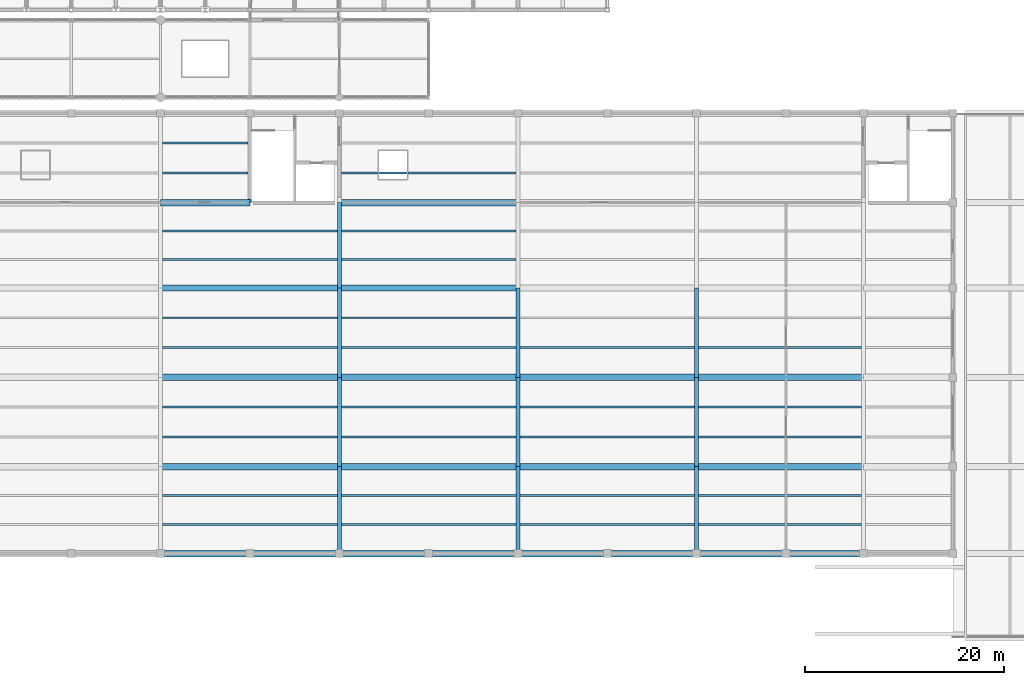
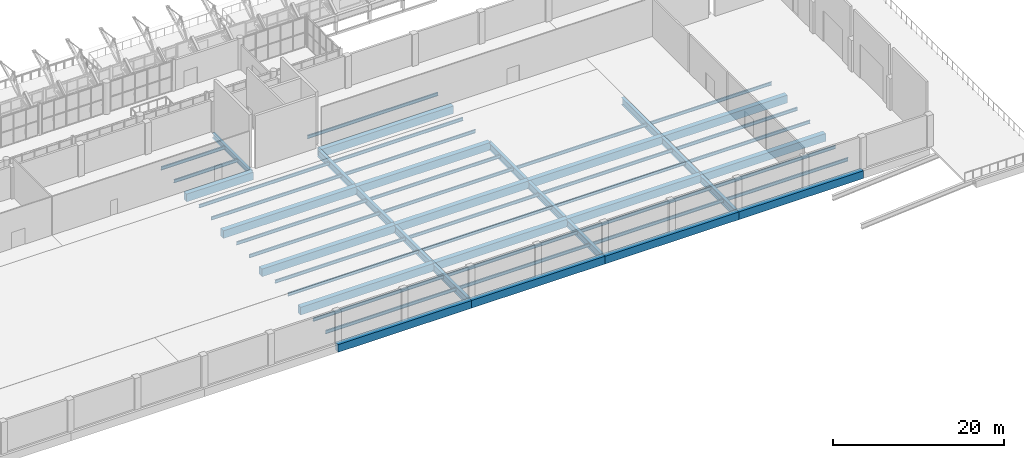
# One storey, part 73 of 134: 56 beams.
"""IFC4 building model written with IfcOpenShell, lengths in metres."""

from ifc_helpers import new_model, si_unit, direction, frame, origin, origin_2d, place, context, subcontext, project, spatial, rectangle, i_section, extrude, material, material_profile, profile_set, type_object, element, save


model = new_model("IFC4")

# Units and contexts
model_context = context("Model", 3, precision=1e-05, world=origin(), true_north=direction((0.0, 1.0)))
body_context = subcontext(model_context, "Body", "Model", "MODEL_VIEW")
ifc_project = project(units=[si_unit("LENGTHUNIT", "METRE"), si_unit("AREAUNIT", "SQUARE_METRE"), si_unit("VOLUMEUNIT", "CUBIC_METRE"), si_unit("PLANEANGLEUNIT", "RADIAN"), si_unit("MASSUNIT", "GRAM", prefix="KILO")], contexts=[model_context])

# Site, building, storey
site_placement = place(None, origin())
site = spatial("IfcSite", under=ifc_project, at=site_placement, CompositionType="ELEMENT")
building_placement = place(site_placement, origin())
building = spatial("IfcBuilding", under=site, at=building_placement, Name="Cazmaro Siding Exhibition Halls", CompositionType="ELEMENT")
storey_placement = place(building_placement, frame((0.0, 0.0, 12.0)))
storey = spatial("IfcBuildingStorey", under=building, at=storey_placement, Name="L02", CompositionType="ELEMENT", Elevation=12.0)

# Beams
ifc_material_1 = material(Name="Steel ASTM A992 Grade 50", Category="steel")
ifc_material_profile_1 = material_profile(ifc_material_1, i_section(OverallWidth=0.404052734375, OverallDepth=1.02099609375, WebThickness=0.02490234375, FlangeThickness=0.0458984375, at=origin_2d()), Name="W40X324")
ifc_profile_set_1 = profile_set([ifc_material_profile_1], Name="Steel ASTM A992 Grade 50")
beam_type_1 = type_object("IfcBeamType", Name="G-06", PredefinedType="USERDEFINED", material=ifc_profile_set_1)
beam_1_placement = place(storey_placement, frame((144.0, 9.25, -0.81103515625), z_axis=(0.0, 1.0, 0.0), x_axis=(-1.0, 0.0, 0.0)))
element("IfcBeam", 1, at=beam_1_placement, inside=storey, type_object=beam_type_1, Name="Beam G-06 BM-1456", ObjectType="GIRDER", PredefinedType="USERDEFINED", context=body_context, shape_type="SweptSolid", body=[
    extrude(i_section(OverallWidth=0.404052734375, OverallDepth=1.02099609375, WebThickness=0.02490234375, FlangeThickness=0.0458984375, at=origin_2d()), origin(), (0.0, 0.0, 1.0), 8.75),
])
for number, where, z_axis, x_axis, name in (
    (2, (144.0, 18.0, -0.81103515625), (0.0, 1.0, 0.0), (-1.0, 0.0, 0.0), "Beam G-06 BM-1457"),
    (3, (144.0, 27.0, -0.81103515625), (0.0, 1.0, 0.0), (-1.0, 0.0, 0.0), "Beam G-06 BM-1458"),
):
    element("IfcBeam", number, at=place(storey_placement, frame(where, z_axis=z_axis, x_axis=x_axis)), inside=storey, type_object=beam_type_1, Name=name, ObjectType="GIRDER", PredefinedType="USERDEFINED", context=body_context, shape_type="SweptSolid", body=[
        extrude(i_section(OverallWidth=0.404052734375, OverallDepth=1.02099609375, WebThickness=0.02490234375, FlangeThickness=0.0458984375, at=origin_2d()), origin(), (0.0, 0.0, 1.0), 9.0),
    ])
beam_2_placement = place(storey_placement, frame((144.0, 36.0, -0.81103515625), z_axis=(0.0, 1.0, 0.0), x_axis=(-1.0, 0.0, 0.0)))
element("IfcBeam", 4, at=beam_2_placement, inside=storey, type_object=beam_type_1, Name="Beam G-06 BM-1459", ObjectType="GIRDER", PredefinedType="USERDEFINED", context=body_context, shape_type="SweptSolid", body=[
    extrude(i_section(OverallWidth=0.404052734375, OverallDepth=1.02099609375, WebThickness=0.02490234375, FlangeThickness=0.0458984375, at=origin_2d()), origin(), (0.0, 0.0, 1.0), 8.60009765625),
])
beam_3_placement = place(storey_placement, frame((162.0, 9.25, -0.81103515625), z_axis=(0.0, 1.0, 0.0), x_axis=(-1.0, 0.0, 0.0)))
element("IfcBeam", 5, at=beam_3_placement, inside=storey, type_object=beam_type_1, Name="Beam G-06 BM-1461", ObjectType="GIRDER", PredefinedType="USERDEFINED", context=body_context, shape_type="SweptSolid", body=[
    extrude(i_section(OverallWidth=0.404052734375, OverallDepth=1.02099609375, WebThickness=0.02490234375, FlangeThickness=0.0458984375, at=origin_2d()), origin(), (0.0, 0.0, 1.0), 8.75),
])
for number, where, z_axis, x_axis, name in (
    (6, (162.0, 18.0, -0.81103515625), (0.0, 1.0, 0.0), (-1.0, 0.0, 0.0), "Beam G-06 BM-1462"),
    (7, (162.0, 27.0, -0.81103515625), (0.0, 1.0, 0.0), (-1.0, 0.0, 0.0), "Beam G-06 BM-1463"),
):
    element("IfcBeam", number, at=place(storey_placement, frame(where, z_axis=z_axis, x_axis=x_axis)), inside=storey, type_object=beam_type_1, Name=name, ObjectType="GIRDER", PredefinedType="USERDEFINED", context=body_context, shape_type="SweptSolid", body=[
        extrude(i_section(OverallWidth=0.404052734375, OverallDepth=1.02099609375, WebThickness=0.02490234375, FlangeThickness=0.0458984375, at=origin_2d()), origin(), (0.0, 0.0, 1.0), 9.0),
    ])
beam_4_placement = place(storey_placement, frame((180.0, 9.25, -0.81103515625), z_axis=(0.0, 1.0, 0.0), x_axis=(-1.0, 0.0, 0.0)))
element("IfcBeam", 8, at=beam_4_placement, inside=storey, type_object=beam_type_1, Name="Beam G-06 BM-1466", ObjectType="GIRDER", PredefinedType="USERDEFINED", context=body_context, shape_type="SweptSolid", body=[
    extrude(i_section(OverallWidth=0.404052734375, OverallDepth=1.02099609375, WebThickness=0.02490234375, FlangeThickness=0.0458984375, at=origin_2d()), origin(), (0.0, 0.0, 1.0), 8.75),
])
for number, where, z_axis, x_axis, name in (
    (9, (180.0, 18.0, -0.81103515625), (0.0, 1.0, 0.0), (-1.0, 0.0, 0.0), "Beam G-06 BM-1467"),
    (10, (180.0, 27.0, -0.81103515625), (0.0, 1.0, 0.0), (-1.0, 0.0, 0.0), "Beam G-06 BM-1468"),
):
    element("IfcBeam", number, at=place(storey_placement, frame(where, z_axis=z_axis, x_axis=x_axis)), inside=storey, type_object=beam_type_1, Name=name, ObjectType="GIRDER", PredefinedType="USERDEFINED", context=body_context, shape_type="SweptSolid", body=[
        extrude(i_section(OverallWidth=0.404052734375, OverallDepth=1.02099609375, WebThickness=0.02490234375, FlangeThickness=0.0458984375, at=origin_2d()), origin(), (0.0, 0.0, 1.0), 9.0),
    ])
ifc_material_2 = material(Name="Concrete f'c 45 MPa", Category="concrete")
ifc_material_profile_2 = material_profile(ifc_material_2, rectangle(XDim=0.64990234375, YDim=1.10009765625, at=origin_2d()), Name="RC1100X650")
ifc_profile_set_2 = profile_set([ifc_material_profile_2], Name="Concrete f'c 45 MPa")
beam_type_2 = type_object("IfcBeamType", Name="G-08", PredefinedType="USERDEFINED", material=ifc_profile_set_2)
for number, where, z_axis, x_axis, name in (
    (11, (126.0, 9.25, -0.85009765625), (1.0, 0.0, 0.0), (0.0, 1.0, 0.0), "Beam G-08 BM-1359"),
    (12, (126.0, 18.0, -0.85009765625), (1.0, 0.0, 0.0), (0.0, 1.0, 0.0), "Beam G-08 BM-1360"),
    (13, (126.0, 27.0, -0.85009765625), (1.0, 0.0, 0.0), (0.0, 1.0, 0.0), "Beam G-08 BM-1361"),
    (14, (126.0, 36.0, -0.85009765625), (1.0, 0.0, 0.0), (0.0, 1.0, 0.0), "Beam G-08 BM-1362"),
):
    element("IfcBeam", number, at=place(storey_placement, frame(where, z_axis=z_axis, x_axis=x_axis)), inside=storey, type_object=beam_type_2, Name=name, ObjectType="GIRDER", PredefinedType="USERDEFINED", context=body_context, shape_type="SweptSolid", body=[
        extrude(rectangle(XDim=0.64990234375, YDim=1.10009765625, at=origin_2d()), origin(), (0.0, 0.0, 1.0), 18.0),
    ])
beam_5_placement = place(storey_placement, frame((126.0, 44.60009765625, -0.85009765625), z_axis=(1.0, 0.0, 0.0), x_axis=(0.0, 1.0, 0.0)))
element("IfcBeam", 15, at=beam_5_placement, inside=storey, type_object=beam_type_2, Name="Beam G-08 BM-1363", ObjectType="GIRDER", PredefinedType="USERDEFINED", context=body_context, shape_type="SweptSolid", body=[
    extrude(rectangle(XDim=0.64990234375, YDim=1.10009765625, at=origin_2d()), origin(), (0.0, 0.0, 1.0), 9.0),
])
for number, where, z_axis, x_axis, name in (
    (16, (144.0, 9.25, -0.85009765625), (1.0, 0.0, 0.0), (0.0, 1.0, 0.0), "Beam G-08 BM-1375"),
    (17, (144.0, 18.0, -0.85009765625), (1.0, 0.0, 0.0), (0.0, 1.0, 0.0), "Beam G-08 BM-1376"),
    (18, (144.0, 27.0, -0.85009765625), (1.0, 0.0, 0.0), (0.0, 1.0, 0.0), "Beam G-08 BM-1377"),
    (19, (144.0, 36.0, -0.85009765625), (1.0, 0.0, 0.0), (0.0, 1.0, 0.0), "Beam G-08 BM-1378"),
    (20, (144.0, 44.60009765625, -0.85009765625), (1.0, 0.0, 0.0), (0.0, 1.0, 0.0), "Beam G-08 BM-1379"),
    (21, (162.0, 9.25, -0.85009765625), (1.0, 0.0, 0.0), (0.0, 1.0, 0.0), "Beam G-08 BM-1391"),
    (22, (162.0, 18.0, -0.85009765625), (1.0, 0.0, 0.0), (0.0, 1.0, 0.0), "Beam G-08 BM-1392"),
    (23, (162.0, 27.0, -0.85009765625), (1.0, 0.0, 0.0), (0.0, 1.0, 0.0), "Beam G-08 BM-1393"),
):
    element("IfcBeam", number, at=place(storey_placement, frame(where, z_axis=z_axis, x_axis=x_axis)), inside=storey, type_object=beam_type_2, Name=name, ObjectType="GIRDER", PredefinedType="USERDEFINED", context=body_context, shape_type="SweptSolid", body=[
        extrude(rectangle(XDim=0.64990234375, YDim=1.10009765625, at=origin_2d()), origin(), (0.0, 0.0, 1.0), 18.0),
    ])
for number, where, z_axis, x_axis, name in (
    (24, (180.0, 9.25, -0.85009765625), (1.0, 0.0, 0.0), (0.0, 1.0, 0.0), "Beam G-08 BM-1407"),
    (25, (180.0, 18.0, -0.85009765625), (1.0, 0.0, 0.0), (0.0, 1.0, 0.0), "Beam G-08 BM-1408"),
    (26, (180.0, 27.0, -0.85009765625), (1.0, 0.0, 0.0), (0.0, 1.0, 0.0), "Beam G-08 BM-1409"),
):
    element("IfcBeam", number, at=place(storey_placement, frame(where, z_axis=z_axis, x_axis=x_axis)), inside=storey, type_object=beam_type_2, Name=name, ObjectType="GIRDER", PredefinedType="USERDEFINED", context=body_context, shape_type="SweptSolid", body=[
        extrude(rectangle(XDim=0.64990234375, YDim=1.10009765625, at=origin_2d()), origin(), (0.0, 0.0, 1.0), 16.800048828125),
    ])
ifc_material_3 = material(Name="Steel ASTM A992 Grade 50", Category="steel")
ifc_material_profile_3 = material_profile(ifc_material_3, i_section(OverallWidth=0.35791015625, OverallDepth=0.7060546875, WebThickness=0.01806640625, FlangeThickness=0.030029296875, at=origin_2d()), Name="W27X178")
ifc_profile_set_3 = profile_set([ifc_material_profile_3], Name="Steel ASTM A992 Grade 50")
beam_type_3 = type_object("IfcBeamType", Name="G-10", PredefinedType="USERDEFINED", material=ifc_profile_set_3)
beam_6_placement = place(storey_placement, frame((135.0, 44.60009765625, -0.653076171875), z_axis=(0.0, 1.0, 0.0), x_axis=(-1.0, 0.0, 0.0)))
element("IfcBeam", 27, at=beam_6_placement, inside=storey, type_object=beam_type_3, Name="Beam G-10 BM-1482", ObjectType="GIRDER", PredefinedType="USERDEFINED", context=body_context, shape_type="SweptSolid", body=[
    extrude(i_section(OverallWidth=0.35791015625, OverallDepth=0.7060546875, WebThickness=0.01806640625, FlangeThickness=0.030029296875, at=origin_2d()), origin(), (0.0, 0.0, 1.0), 9.0),
])
ifc_material_4 = material(Name="Steel ASTM A992 Grade 50", Category="steel")
ifc_material_profile_4 = material_profile(ifc_material_4, i_section(OverallWidth=0.19091796875, OverallDepth=0.45703125, WebThickness=0.009033203125, FlangeThickness=0.013916015625, at=origin_2d()), Name="W18X50")
ifc_profile_set_4 = profile_set([ifc_material_profile_4], Name="Steel ASTM A992 Grade 50")
beam_type_4 = type_object("IfcBeamType", Name="J-01", PredefinedType="JOIST", material=ifc_profile_set_4)
for number, where, z_axis, x_axis, name in (
    (28, (126.201904296875, 12.1669921875, -0.529052734375), (1.0, 0.0, 0.0), (0.0, 1.0, 0.0), "Beam J-01 BM-1365"),
    (29, (126.201904296875, 15.0830078125, -0.529052734375), (1.0, 0.0, 0.0), (0.0, 1.0, 0.0), "Beam J-01 BM-1366"),
    (30, (126.201904296875, 21.0, -0.529052734375), (1.0, 0.0, 0.0), (0.0, 1.0, 0.0), "Beam J-01 BM-1367"),
    (31, (126.201904296875, 24.0, -0.529052734375), (1.0, 0.0, 0.0), (0.0, 1.0, 0.0), "Beam J-01 BM-1368"),
    (32, (126.201904296875, 30.0, -0.529052734375), (1.0, 0.0, 0.0), (0.0, 1.0, 0.0), "Beam J-01 BM-1369"),
    (33, (126.201904296875, 33.0, -0.529052734375), (1.0, 0.0, 0.0), (0.0, 1.0, 0.0), "Beam J-01 BM-1370"),
    (34, (126.201904296875, 38.866943359375, -0.529052734375), (1.0, 0.0, 0.0), (0.0, 1.0, 0.0), "Beam J-01 BM-1371"),
    (35, (126.201904296875, 41.73291015625, -0.529052734375), (1.0, 0.0, 0.0), (0.0, 1.0, 0.0), "Beam J-01 BM-1372"),
):
    element("IfcBeam", number, at=place(storey_placement, frame(where, z_axis=z_axis, x_axis=x_axis)), inside=storey, type_object=beam_type_4, Name=name, PredefinedType="JOIST", context=body_context, shape_type="SweptSolid", body=[
        extrude(i_section(OverallWidth=0.19091796875, OverallDepth=0.45703125, WebThickness=0.009033203125, FlangeThickness=0.013916015625, at=origin_2d()), origin(), (0.0, 0.0, 1.0), 17.59619140625),
    ])
for number, where, z_axis, x_axis, name in (
    (36, (126.201904296875, 47.60009765625, -0.529052734375), (1.0, 0.0, 0.0), (0.0, 1.0, 0.0), "Beam J-01 BM-1373"),
    (37, (126.201904296875, 50.60009765625, -0.529052734375), (1.0, 0.0, 0.0), (0.0, 1.0, 0.0), "Beam J-01 BM-1374"),
):
    element("IfcBeam", number, at=place(storey_placement, frame(where, z_axis=z_axis, x_axis=x_axis)), inside=storey, type_object=beam_type_4, Name=name, PredefinedType="JOIST", context=body_context, shape_type="SweptSolid", body=[
        extrude(i_section(OverallWidth=0.19091796875, OverallDepth=0.45703125, WebThickness=0.009033203125, FlangeThickness=0.013916015625, at=origin_2d()), origin(), (0.0, 0.0, 1.0), 8.619140625),
    ])
for number, where, z_axis, x_axis, name in (
    (38, (144.201904296875, 12.1669921875, -0.529052734375), (1.0, 0.0, 0.0), (0.0, 1.0, 0.0), "Beam J-01 BM-1381"),
    (39, (144.201904296875, 15.0830078125, -0.529052734375), (1.0, 0.0, 0.0), (0.0, 1.0, 0.0), "Beam J-01 BM-1382"),
    (40, (144.201904296875, 21.0, -0.529052734375), (1.0, 0.0, 0.0), (0.0, 1.0, 0.0), "Beam J-01 BM-1383"),
    (41, (144.201904296875, 24.0, -0.529052734375), (1.0, 0.0, 0.0), (0.0, 1.0, 0.0), "Beam J-01 BM-1384"),
    (42, (144.201904296875, 30.0, -0.529052734375), (1.0, 0.0, 0.0), (0.0, 1.0, 0.0), "Beam J-01 BM-1385"),
    (43, (144.201904296875, 33.0, -0.529052734375), (1.0, 0.0, 0.0), (0.0, 1.0, 0.0), "Beam J-01 BM-1386"),
    (44, (144.201904296875, 38.866943359375, -0.529052734375), (1.0, 0.0, 0.0), (0.0, 1.0, 0.0), "Beam J-01 BM-1387"),
    (45, (144.201904296875, 41.73291015625, -0.529052734375), (1.0, 0.0, 0.0), (0.0, 1.0, 0.0), "Beam J-01 BM-1388"),
    (46, (144.201904296875, 47.60009765625, -0.529052734375), (1.0, 0.0, 0.0), (0.0, 1.0, 0.0), "Beam J-01 BM-1389"),
    (47, (162.201904296875, 12.1669921875, -0.529052734375), (1.0, 0.0, 0.0), (0.0, 1.0, 0.0), "Beam J-01 BM-1397"),
    (48, (162.201904296875, 15.0830078125, -0.529052734375), (1.0, 0.0, 0.0), (0.0, 1.0, 0.0), "Beam J-01 BM-1398"),
    (49, (162.201904296875, 21.0, -0.529052734375), (1.0, 0.0, 0.0), (0.0, 1.0, 0.0), "Beam J-01 BM-1399"),
    (50, (162.201904296875, 24.0, -0.529052734375), (1.0, 0.0, 0.0), (0.0, 1.0, 0.0), "Beam J-01 BM-1400"),
    (51, (162.201904296875, 30.0, -0.529052734375), (1.0, 0.0, 0.0), (0.0, 1.0, 0.0), "Beam J-01 BM-1401"),
):
    element("IfcBeam", number, at=place(storey_placement, frame(where, z_axis=z_axis, x_axis=x_axis)), inside=storey, type_object=beam_type_4, Name=name, PredefinedType="JOIST", context=body_context, shape_type="SweptSolid", body=[
        extrude(i_section(OverallWidth=0.19091796875, OverallDepth=0.45703125, WebThickness=0.009033203125, FlangeThickness=0.013916015625, at=origin_2d()), origin(), (0.0, 0.0, 1.0), 17.59619140625),
    ])
for number, where, z_axis, x_axis, name in (
    (52, (180.201904296875, 12.1669921875, -0.529052734375), (1.0, 0.0, 0.0), (0.0, 1.0, 0.0), "Beam J-01 BM-1413"),
    (53, (180.201904296875, 15.0830078125, -0.529052734375), (1.0, 0.0, 0.0), (0.0, 1.0, 0.0), "Beam J-01 BM-1414"),
    (54, (180.201904296875, 21.0, -0.529052734375), (1.0, 0.0, 0.0), (0.0, 1.0, 0.0), "Beam J-01 BM-1415"),
    (55, (180.201904296875, 24.0, -0.529052734375), (1.0, 0.0, 0.0), (0.0, 1.0, 0.0), "Beam J-01 BM-1416"),
    (56, (180.201904296875, 30.0, -0.529052734375), (1.0, 0.0, 0.0), (0.0, 1.0, 0.0), "Beam J-01 BM-1417"),
):
    element("IfcBeam", number, at=place(storey_placement, frame(where, z_axis=z_axis, x_axis=x_axis)), inside=storey, type_object=beam_type_4, Name=name, PredefinedType="JOIST", context=body_context, shape_type="SweptSolid", body=[
        extrude(i_section(OverallWidth=0.19091796875, OverallDepth=0.45703125, WebThickness=0.009033203125, FlangeThickness=0.013916015625, at=origin_2d()), origin(), (0.0, 0.0, 1.0), 16.39599609375),
    ])

save(model, "model.ifc")
